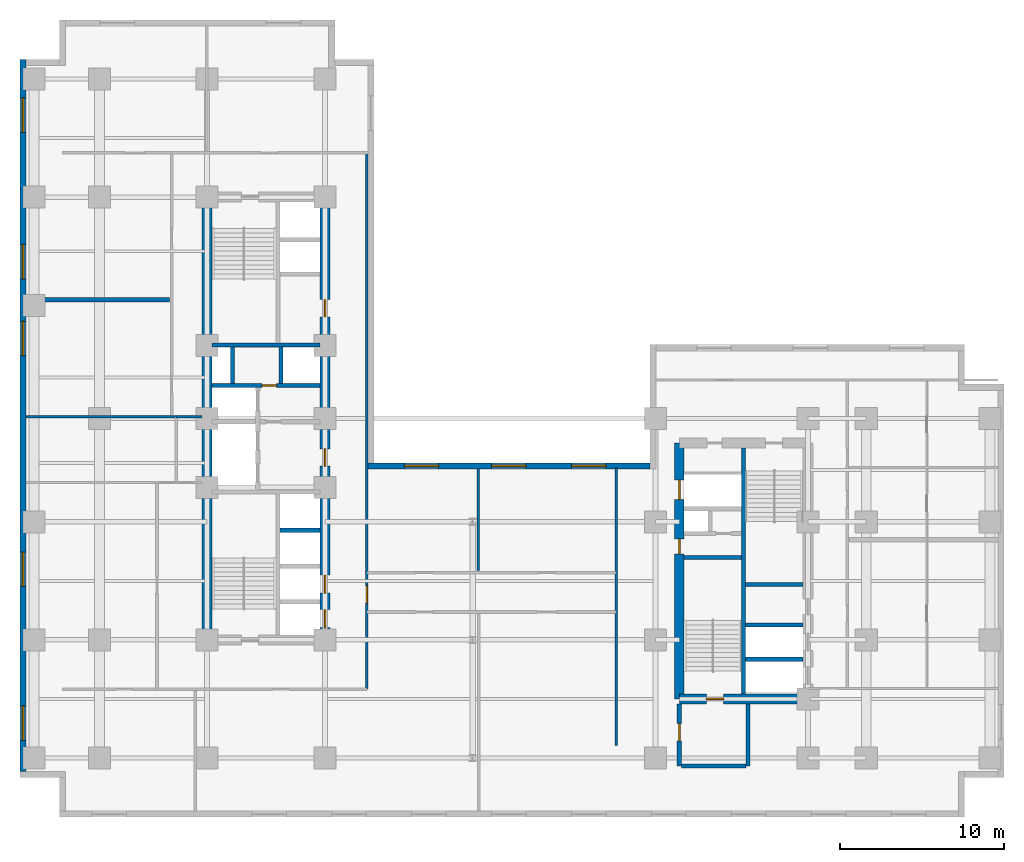
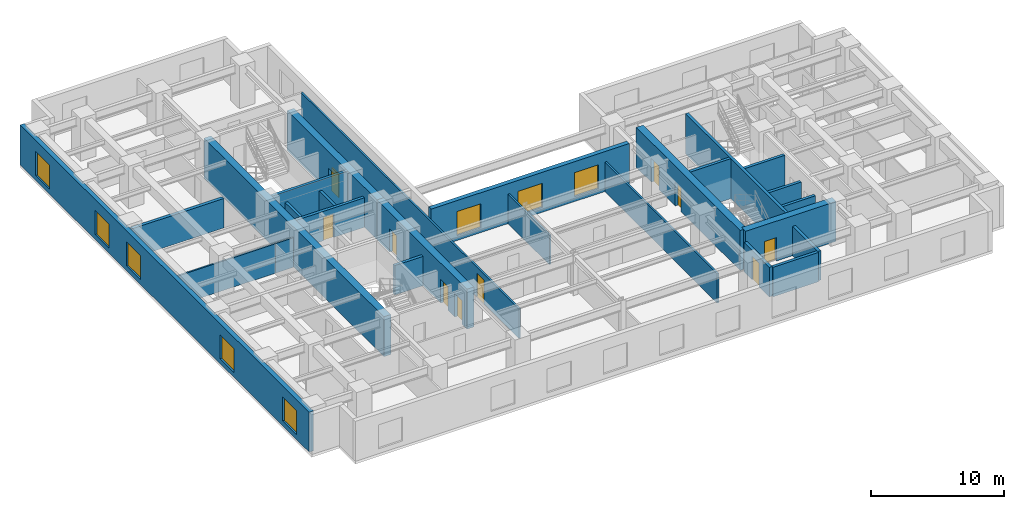
# One storey, part 4 of 9: 26 walls, 10 doors, 8 windows, 18 openings.
"""IFC4 building model written with IfcOpenShell, lengths in metres."""

from ifc_helpers import new_model, entity, si_unit, converted_unit, direction, frame, origin_with_axes, origin_2d_with_axis, place, context, subcontext, project, spatial, polyline, rectangle, outline, extrude, material, layer, layer_set, type_object, element, fill, save


model = new_model("IFC4")

# Units and contexts
model_context = context("Model", 3, precision=1e-05, world=origin_with_axes(), true_north=direction((0.0, 1.0)))
body_context = subcontext(model_context, "Body", "Model", "MODEL_VIEW")
ifc_project = project(units=[si_unit("LENGTHUNIT", "METRE"), si_unit("AREAUNIT", "SQUARE_METRE"), si_unit("VOLUMEUNIT", "CUBIC_METRE"), converted_unit("PLANEANGLEUNIT", "DEGREE", entity("IfcPlaneAngleMeasure", 0.017453292519943295), si_unit("PLANEANGLEUNIT", "RADIAN"), dimensions=[0, 0, 0, 0, 0, 0, 0]), si_unit("MASSUNIT", "GRAM", prefix="KILO"), si_unit("THERMODYNAMICTEMPERATUREUNIT", "KELVIN")], contexts=[model_context])

# Site, building, storey
site_placement = place(None, origin_with_axes())
site = spatial("IfcSite", under=ifc_project, at=site_placement, CompositionType="ELEMENT")
building_placement = place(site_placement, origin_with_axes())
building = spatial("IfcBuilding", under=site, at=building_placement, Name="Varnlund Millrace Tower", CompositionType="ELEMENT")
storey_placement = place(building_placement, frame((0.0, 0.0, 36.6), z_axis=(0.0, 0.0, 1.0), x_axis=(1.0, 0.0, 0.0)))
storey = spatial("IfcBuildingStorey", under=building, at=storey_placement, Name="L08", CompositionType="ELEMENT", Elevation=36.6)

# Wall
ifc_material_1 = material(Name="Concrete C80/95", Category="concrete")
ifc_layer_1 = layer(ifc_material_1, 0.6, Name="Concrete C80/95")
ifc_layer_set_1 = layer_set([ifc_layer_1], Name="Concrete C80/95")
wall_type_1 = type_object("IfcWallType", Name="Type-CoreWall-Shear-600-C80", PredefinedType="SHEAR", material=ifc_layer_set_1)
wall_1_placement = place(storey_placement, frame((11.4, 10.8, 0.0), z_axis=(0.0, 0.0, 1.0), x_axis=(0.0, 1.0, 0.0)))
element("IfcWall", 1, at=wall_1_placement, inside=storey, type_object=wall_type_1, Name="Type-CoreWall-Shear-600-C80", PredefinedType="SHEAR", context=body_context, shape_type="SweptSolid", body=[
    extrude(outline(polyline([(0.0, -0.3), (27.0, -0.3), (27.0, 0.3), (0.0, 0.3), (0.0, -0.3)])), origin_with_axes(), (0.0, 0.0, 1.0), 3.66),
])

# Wall, openings, doors
wall_2_placement = place(storey_placement, frame((18.6, 10.8, 0.0), z_axis=(0.0, 0.0, 1.0), x_axis=(0.0, 1.0, 0.0)))
wall_2 = element("IfcWall", 2, at=wall_2_placement, inside=storey, type_object=wall_type_1, Name="Type-CoreWall-Shear-600-C80", PredefinedType="SHEAR", context=body_context, shape_type="SweptSolid", body=[
    extrude(outline(polyline([(0.0, -0.3), (13.5, -0.3), (13.5, 0.3), (0.0, 0.3), (0.0, -0.3)])), origin_with_axes(), (0.0, 0.0, 1.0), 3.66),
])
opening_1_placement = place(wall_2_placement, frame((1.3, 0.0, 0.0), z_axis=(0.0, 0.0, 1.0), x_axis=(1.0, 0.0, 0.0)))
opening_1 = element("IfcOpeningElement", 3, at=opening_1_placement, cuts=wall_2, Name="Opening L08:LD-ELV-L1", PredefinedType="OPENING", context=body_context, shape_type="SweptSolid", body=[
    extrude(rectangle(XDim=1.1, YDim=0.62, at=origin_2d_with_axis()), origin_with_axes(), (0.0, 0.0, 1.0), 2.15),
])
opening_2_placement = place(wall_2_placement, frame((3.4, 0.0, 0.0), z_axis=(0.0, 0.0, 1.0), x_axis=(1.0, 0.0, 0.0)))
opening_2 = element("IfcOpeningElement", 4, at=opening_2_placement, cuts=wall_2, Name="Opening L08:LD-ELV-L2", PredefinedType="OPENING", context=body_context, shape_type="SweptSolid", body=[
    extrude(rectangle(XDim=1.1, YDim=0.62, at=origin_2d_with_axis()), origin_with_axes(), (0.0, 0.0, 1.0), 2.15),
])
opening_3_placement = place(wall_2_placement, frame((11.125, 0.0, 0.0), z_axis=(0.0, 0.0, 1.0), x_axis=(1.0, 0.0, 0.0)))
opening_3 = element("IfcOpeningElement", 5, at=opening_3_placement, cuts=wall_2, Name="Opening L08:DR-FFLOB-A", PredefinedType="OPENING", context=body_context, shape_type="SweptSolid", body=[
    extrude(rectangle(XDim=1.05, YDim=0.62, at=origin_2d_with_axis()), origin_with_axes(), (0.0, 0.0, 1.0), 2.15),
])
ifc_material_2 = material(Name="Smoke-barrier hollow steel fire door", Category="steel")
door_type_1 = type_object("IfcDoorType", Name="Type-FireDoor-Lobby-1050X2150", OperationType="NOTDEFINED", PredefinedType="DOOR", material=ifc_material_2)
door_1_placement = place(wall_2_placement, frame((11.125, 0.0, 0.0), z_axis=(0.0, 0.0, 1.0), x_axis=(1.0, 0.0, 0.0)))
door_1 = element("IfcDoor", 6, at=door_1_placement, inside=storey, type_object=door_type_1, Name="Type-FireDoor-Lobby-1050X2150", OperationType="SINGLE_SWING_LEFT", OverallHeight=2.15, OverallWidth=1.05, PredefinedType="DOOR", context=body_context, shape_type="SweptSolid", body=[
    extrude(rectangle(XDim=1.05, YDim=0.09, at=origin_2d_with_axis()), origin_with_axes(), (0.0, 0.0, 1.0), 2.15),
])
fill(opening_3, door_1)
ifc_material_3 = material(Name="Stainless and architectural bronze sliding landing door")
door_type_2 = type_object("IfcDoorType", Name="Type-LiftLandingDoor-1100X2150", OperationType="NOTDEFINED", PredefinedType="DOOR", material=ifc_material_3)
door_2_placement = place(wall_2_placement, frame((1.3, 0.0, 0.0), z_axis=(0.0, 0.0, 1.0), x_axis=(1.0, 0.0, 0.0)))
door_2 = element("IfcDoor", 7, at=door_2_placement, inside=storey, type_object=door_type_2, Name="Type-LiftLandingDoor-1100X2150", OperationType="SLIDING_TO_LEFT", OverallHeight=2.15, OverallWidth=1.1, PredefinedType="DOOR", context=body_context, shape_type="SweptSolid", body=[
    extrude(rectangle(XDim=1.1, YDim=0.09, at=origin_2d_with_axis()), origin_with_axes(), (0.0, 0.0, 1.0), 2.15),
])
fill(opening_1, door_2)
door_3_placement = place(wall_2_placement, frame((3.4, 0.0, 0.0), z_axis=(0.0, 0.0, 1.0), x_axis=(1.0, 0.0, 0.0)))
door_3 = element("IfcDoor", 8, at=door_3_placement, inside=storey, type_object=door_type_2, Name="Type-LiftLandingDoor-1100X2150", OperationType="SLIDING_TO_RIGHT", OverallHeight=2.15, OverallWidth=1.1, PredefinedType="DOOR", context=body_context, shape_type="SweptSolid", body=[
    extrude(rectangle(XDim=1.1, YDim=0.09, at=origin_2d_with_axis()), origin_with_axes(), (0.0, 0.0, 1.0), 2.15),
])
fill(opening_2, door_3)

# Wall, opening, door
wall_3_placement = place(storey_placement, frame((18.6, 24.3, 0.0), z_axis=(0.0, 0.0, 1.0), x_axis=(0.0, 1.0, 0.0)))
wall_3 = element("IfcWall", 9, at=wall_3_placement, inside=storey, type_object=wall_type_1, Name="Type-CoreWall-Shear-600-C80", PredefinedType="SHEAR", context=body_context, shape_type="SweptSolid", body=[
    extrude(outline(polyline([(0.0, -0.3), (13.5, -0.3), (13.5, 0.3), (0.0, 0.3), (0.0, -0.3)])), origin_with_axes(), (0.0, 0.0, 1.0), 3.66),
])
opening_4_placement = place(wall_3_placement, frame((6.725, 0.0, 0.0), z_axis=(0.0, 0.0, 1.0), x_axis=(1.0, 0.0, 0.0)))
opening_4 = element("IfcOpeningElement", 10, at=opening_4_placement, cuts=wall_3, Name="Opening L08:DR-CA-WC1", PredefinedType="OPENING", context=body_context, shape_type="SweptSolid", body=[
    extrude(rectangle(XDim=1.05, YDim=0.62, at=origin_2d_with_axis()), origin_with_axes(), (0.0, 0.0, 1.0), 2.15),
])
door_4_placement = place(wall_3_placement, frame((6.725, 0.0, 0.0), z_axis=(0.0, 0.0, 1.0), x_axis=(1.0, 0.0, 0.0)))
door_4 = element("IfcDoor", 11, at=door_4_placement, inside=storey, type_object=door_type_1, Name="Type-FireDoor-Lobby-1050X2150", OperationType="SINGLE_SWING_LEFT", OverallHeight=2.15, OverallWidth=1.05, PredefinedType="DOOR", context=body_context, shape_type="SweptSolid", body=[
    extrude(rectangle(XDim=1.05, YDim=0.09, at=origin_2d_with_axis()), origin_with_axes(), (0.0, 0.0, 1.0), 2.15),
])
fill(opening_4, door_4)

# Wall, openings, doors
wall_4_placement = place(storey_placement, frame((40.2, 7.2, 0.0), z_axis=(0.0, 0.0, 1.0), x_axis=(0.0, 1.0, 0.0)))
wall_4 = element("IfcWall", 12, at=wall_4_placement, inside=storey, type_object=wall_type_1, Name="Type-CoreWall-Shear-600-C80", PredefinedType="SHEAR", context=body_context, shape_type="SweptSolid", body=[
    extrude(outline(polyline([(0.0, -0.3), (15.6, -0.3), (15.6, 0.3), (0.0, 0.3), (0.0, -0.3)])), origin_with_axes(), (0.0, 0.0, 1.0), 3.66),
])
opening_5_placement = place(wall_4_placement, frame((12.75, 0.0, 0.0), z_axis=(0.0, 0.0, 1.0), x_axis=(1.0, 0.0, 0.0)))
opening_5 = element("IfcOpeningElement", 13, at=opening_5_placement, cuts=wall_4, Name="Opening L08:LD-SRV2", PredefinedType="OPENING", context=body_context, shape_type="SweptSolid", body=[
    extrude(rectangle(XDim=1.2, YDim=0.62, at=origin_2d_with_axis()), origin_with_axes(), (0.0, 0.0, 1.0), 2.15),
])
opening_6_placement = place(wall_4_placement, frame((9.3, 0.0, 0.0), z_axis=(0.0, 0.0, 1.0), x_axis=(1.0, 0.0, 0.0)))
opening_6 = element("IfcOpeningElement", 14, at=opening_6_placement, cuts=wall_4, Name="Opening L08:DR-CB-JAN", PredefinedType="OPENING", context=body_context, shape_type="SweptSolid", body=[
    extrude(rectangle(XDim=0.9, YDim=0.62, at=origin_2d_with_axis()), origin_with_axes(), (0.0, 0.0, 1.0), 2.15),
])
ifc_material_4 = material(Name="Fire-rated hollow steel service closet door", Category="steel")
door_type_3 = type_object("IfcDoorType", Name="Type-FireDoor-Closet-900X2150", OperationType="NOTDEFINED", PredefinedType="DOOR", material=ifc_material_4)
door_5_placement = place(wall_4_placement, frame((9.3, 0.0, 0.0), z_axis=(0.0, 0.0, 1.0), x_axis=(1.0, 0.0, 0.0)))
door_5 = element("IfcDoor", 15, at=door_5_placement, inside=storey, type_object=door_type_3, Name="Type-FireDoor-Closet-900X2150", OperationType="SINGLE_SWING_RIGHT", OverallHeight=2.15, OverallWidth=0.9, PredefinedType="DOOR", context=body_context, shape_type="SweptSolid", body=[
    extrude(rectangle(XDim=0.9, YDim=0.09, at=origin_2d_with_axis()), origin_with_axes(), (0.0, 0.0, 1.0), 2.15),
])
fill(opening_6, door_5)
ifc_material_5 = material(Name="Heavy-duty freight sliding landing door")
door_type_4 = type_object("IfcDoorType", Name="Type-LiftLandingDoor-Service-1200X2150", OperationType="NOTDEFINED", PredefinedType="DOOR", material=ifc_material_5)
door_6_placement = place(wall_4_placement, frame((12.75, 0.0, 0.0), z_axis=(0.0, 0.0, 1.0), x_axis=(1.0, 0.0, 0.0)))
door_6 = element("IfcDoor", 16, at=door_6_placement, inside=storey, type_object=door_type_4, Name="Type-LiftLandingDoor-Service-1200X2150", OperationType="DOUBLE_DOOR_SLIDING", OverallHeight=2.15, OverallWidth=1.2, PredefinedType="DOOR", context=body_context, shape_type="SweptSolid", body=[
    extrude(rectangle(XDim=1.2, YDim=0.09, at=origin_2d_with_axis()), origin_with_axes(), (0.0, 0.0, 1.0), 2.15),
])
fill(opening_5, door_6)

# Wall, opening, door
wall_5_placement = place(storey_placement, frame((40.2, 7.2, 0.0), z_axis=(0.0, 0.0, 1.0), x_axis=(1.0, 0.0, 0.0)))
wall_5 = element("IfcWall", 17, at=wall_5_placement, inside=storey, type_object=wall_type_1, Name="Type-CoreWall-Shear-600-C80", PredefinedType="SHEAR", context=body_context, shape_type="SweptSolid", body=[
    extrude(outline(polyline([(0.0, -0.3), (7.85, -0.3), (7.85, 0.3), (0.0, 0.3), (0.0, -0.3)])), origin_with_axes(), (0.0, 0.0, 1.0), 3.66),
])
opening_7_placement = place(wall_5_placement, frame((2.175, 0.0, 0.0), z_axis=(0.0, 0.0, 1.0), x_axis=(1.0, 0.0, 0.0)))
opening_7 = element("IfcOpeningElement", 18, at=opening_7_placement, cuts=wall_5, Name="Opening L08:DR-STB1", PredefinedType="OPENING", context=body_context, shape_type="SweptSolid", body=[
    extrude(rectangle(XDim=1.05, YDim=0.62, at=origin_2d_with_axis()), origin_with_axes(), (0.0, 0.0, 1.0), 2.15),
])
ifc_material_6 = material(Name="Fire-rated hollow steel door", Category="steel")
door_type_5 = type_object("IfcDoorType", Name="Type-FireDoor-Stair-1050X2150", OperationType="NOTDEFINED", PredefinedType="DOOR", material=ifc_material_6)
door_7_placement = place(wall_5_placement, frame((2.175, 0.0, 0.0), z_axis=(0.0, 0.0, 1.0), x_axis=(1.0, 0.0, 0.0)))
door_7 = element("IfcDoor", 19, at=door_7_placement, inside=storey, type_object=door_type_5, Name="Type-FireDoor-Stair-1050X2150", OperationType="SINGLE_SWING_LEFT", OverallHeight=2.15, OverallWidth=1.05, PredefinedType="DOOR", context=body_context, shape_type="SweptSolid", body=[
    extrude(rectangle(XDim=1.05, YDim=0.09, at=origin_2d_with_axis()), origin_with_axes(), (0.0, 0.0, 1.0), 2.15),
])
fill(opening_7, door_7)

# Wall, openings, windows
ifc_material_7 = material(Name="Precast concrete C50/60", Category="concrete")
ifc_layer_2 = layer(ifc_material_7, 0.38, Name="Precast concrete C50/60")
ifc_layer_set_2 = layer_set([ifc_layer_2], Name="Precast concrete C50/60")
wall_type_2 = type_object("IfcWallType", Name="Type-ExtWall-Precast-Tube-380", PredefinedType="SOLIDWALL", material=ifc_layer_set_2)
wall_6_placement = place(storey_placement, frame((0.19, 2.78, 0.0), z_axis=(0.0, 0.0, 1.0), x_axis=(0.0, 1.0, 0.0)))
wall_6 = element("IfcWall", 20, at=wall_6_placement, inside=storey, type_object=wall_type_2, Name="Type-ExtWall-Precast-Tube-380", PredefinedType="SOLIDWALL", context=body_context, shape_type="SweptSolid", body=[
    extrude(outline(polyline([(0.0, -0.19), (43.42, -0.19), (43.42, 0.19), (0.0, 0.19), (0.0, -0.19)])), origin_with_axes(), (0.0, 0.0, 1.0), 3.66),
])
opening_8_placement = place(wall_6_placement, frame((2.946, 0.0, 0.45), z_axis=(0.0, 0.0, 1.0), x_axis=(1.0, 0.0, 0.0)))
opening_8 = element("IfcOpeningElement", 21, at=opening_8_placement, cuts=wall_6, Name="Opening L08:WN-15", PredefinedType="OPENING", context=body_context, shape_type="SweptSolid", body=[
    extrude(rectangle(XDim=2.1, YDim=0.4, at=origin_2d_with_axis()), origin_with_axes(), (0.0, 0.0, 1.0), 2.2),
])
opening_9_placement = place(wall_6_placement, frame((12.328, 0.0, 0.45), z_axis=(0.0, 0.0, 1.0), x_axis=(1.0, 0.0, 0.0)))
opening_9 = element("IfcOpeningElement", 22, at=opening_9_placement, cuts=wall_6, Name="Opening L08:WN-16", PredefinedType="OPENING", context=body_context, shape_type="SweptSolid", body=[
    extrude(rectangle(XDim=2.1, YDim=0.4, at=origin_2d_with_axis()), origin_with_axes(), (0.0, 0.0, 1.0), 2.2),
])
opening_10_placement = place(wall_6_placement, frame((26.401, 0.0, 0.45), z_axis=(0.0, 0.0, 1.0), x_axis=(1.0, 0.0, 0.0)))
opening_10 = element("IfcOpeningElement", 23, at=opening_10_placement, cuts=wall_6, Name="Opening L08:WN-17", PredefinedType="OPENING", context=body_context, shape_type="SweptSolid", body=[
    extrude(rectangle(XDim=2.1, YDim=0.4, at=origin_2d_with_axis()), origin_with_axes(), (0.0, 0.0, 1.0), 2.2),
])
opening_11_placement = place(wall_6_placement, frame((31.092, 0.0, 0.45), z_axis=(0.0, 0.0, 1.0), x_axis=(1.0, 0.0, 0.0)))
opening_11 = element("IfcOpeningElement", 24, at=opening_11_placement, cuts=wall_6, Name="Opening L08:WN-18", PredefinedType="OPENING", context=body_context, shape_type="SweptSolid", body=[
    extrude(rectangle(XDim=2.1, YDim=0.4, at=origin_2d_with_axis()), origin_with_axes(), (0.0, 0.0, 1.0), 2.2),
])
opening_12_placement = place(wall_6_placement, frame((40.024, 0.0, 0.45), z_axis=(0.0, 0.0, 1.0), x_axis=(1.0, 0.0, 0.0)))
opening_12 = element("IfcOpeningElement", 25, at=opening_12_placement, cuts=wall_6, Name="Opening L08:WN-19", PredefinedType="OPENING", context=body_context, shape_type="SweptSolid", body=[
    extrude(rectangle(XDim=2.1, YDim=0.4, at=origin_2d_with_axis()), origin_with_axes(), (0.0, 0.0, 1.0), 2.2),
])
ifc_material_8 = material(Name="Argon low-e triple glazing in thermally broken bronze frame", Category="glass")
window_type = type_object("IfcWindowType", Name="Type-Window-Punched-2100X2200", PartitioningType="SINGLE_PANEL", PredefinedType="WINDOW", material=ifc_material_8)
window_1_placement = place(wall_6_placement, frame((2.946, 0.0, 0.45), z_axis=(0.0, 0.0, 1.0), x_axis=(1.0, 0.0, 0.0)))
window_1 = element("IfcWindow", 26, at=window_1_placement, inside=storey, type_object=window_type, Name="Type-Window-Punched-2100X2200", OverallHeight=2.2, OverallWidth=2.1, PredefinedType="WINDOW", context=body_context, shape_type="SweptSolid", body=[
    extrude(rectangle(XDim=2.1, YDim=0.09, at=origin_2d_with_axis()), origin_with_axes(), (0.0, 0.0, 1.0), 2.2),
])
fill(opening_8, window_1)
window_2_placement = place(wall_6_placement, frame((12.328, 0.0, 0.45), z_axis=(0.0, 0.0, 1.0), x_axis=(1.0, 0.0, 0.0)))
window_2 = element("IfcWindow", 27, at=window_2_placement, inside=storey, type_object=window_type, Name="Type-Window-Punched-2100X2200", OverallHeight=2.2, OverallWidth=2.1, PredefinedType="WINDOW", context=body_context, shape_type="SweptSolid", body=[
    extrude(rectangle(XDim=2.1, YDim=0.09, at=origin_2d_with_axis()), origin_with_axes(), (0.0, 0.0, 1.0), 2.2),
])
fill(opening_9, window_2)
window_3_placement = place(wall_6_placement, frame((26.401, 0.0, 0.45), z_axis=(0.0, 0.0, 1.0), x_axis=(1.0, 0.0, 0.0)))
window_3 = element("IfcWindow", 28, at=window_3_placement, inside=storey, type_object=window_type, Name="Type-Window-Punched-2100X2200", OverallHeight=2.2, OverallWidth=2.1, PredefinedType="WINDOW", context=body_context, shape_type="SweptSolid", body=[
    extrude(rectangle(XDim=2.1, YDim=0.09, at=origin_2d_with_axis()), origin_with_axes(), (0.0, 0.0, 1.0), 2.2),
])
fill(opening_10, window_3)
window_4_placement = place(wall_6_placement, frame((31.092, 0.0, 0.45), z_axis=(0.0, 0.0, 1.0), x_axis=(1.0, 0.0, 0.0)))
window_4 = element("IfcWindow", 29, at=window_4_placement, inside=storey, type_object=window_type, Name="Type-Window-Punched-2100X2200", OverallHeight=2.2, OverallWidth=2.1, PredefinedType="WINDOW", context=body_context, shape_type="SweptSolid", body=[
    extrude(rectangle(XDim=2.1, YDim=0.09, at=origin_2d_with_axis()), origin_with_axes(), (0.0, 0.0, 1.0), 2.2),
])
fill(opening_11, window_4)
window_5_placement = place(wall_6_placement, frame((40.024, 0.0, 0.45), z_axis=(0.0, 0.0, 1.0), x_axis=(1.0, 0.0, 0.0)))
window_5 = element("IfcWindow", 30, at=window_5_placement, inside=storey, type_object=window_type, Name="Type-Window-Punched-2100X2200", OverallHeight=2.2, OverallWidth=2.1, PredefinedType="WINDOW", context=body_context, shape_type="SweptSolid", body=[
    extrude(rectangle(XDim=2.1, YDim=0.09, at=origin_2d_with_axis()), origin_with_axes(), (0.0, 0.0, 1.0), 2.2),
])
fill(opening_12, window_5)

wall_7_placement = place(storey_placement, frame((21.22, 21.41, 0.0), z_axis=(0.0, 0.0, 1.0), x_axis=(1.0, 0.0, 0.0)))
wall_7 = element("IfcWall", 31, at=wall_7_placement, inside=storey, type_object=wall_type_2, Name="Type-ExtWall-Precast-Tube-380", PredefinedType="SOLIDWALL", context=body_context, shape_type="SweptSolid", body=[
    extrude(outline(polyline([(0.0, -0.19), (17.18, -0.19), (17.18, 0.19), (0.0, 0.19), (0.0, -0.19)])), origin_with_axes(), (0.0, 0.0, 1.0), 3.66),
])
opening_13_placement = place(wall_7_placement, frame((3.263, 0.0, 0.45), z_axis=(0.0, 0.0, 1.0), x_axis=(1.0, 0.0, 0.0)))
opening_13 = element("IfcOpeningElement", 32, at=opening_13_placement, cuts=wall_7, Name="Opening L08:WN-23", PredefinedType="OPENING", context=body_context, shape_type="SweptSolid", body=[
    extrude(rectangle(XDim=2.1, YDim=0.4, at=origin_2d_with_axis()), origin_with_axes(), (0.0, 0.0, 1.0), 2.2),
])
opening_14_placement = place(wall_7_placement, frame((8.59, 0.0, 0.45), z_axis=(0.0, 0.0, 1.0), x_axis=(1.0, 0.0, 0.0)))
opening_14 = element("IfcOpeningElement", 33, at=opening_14_placement, cuts=wall_7, Name="Opening L08:WN-24", PredefinedType="OPENING", context=body_context, shape_type="SweptSolid", body=[
    extrude(rectangle(XDim=2.1, YDim=0.4, at=origin_2d_with_axis()), origin_with_axes(), (0.0, 0.0, 1.0), 2.2),
])
opening_15_placement = place(wall_7_placement, frame((13.467, 0.0, 0.45), z_axis=(0.0, 0.0, 1.0), x_axis=(1.0, 0.0, 0.0)))
opening_15 = element("IfcOpeningElement", 34, at=opening_15_placement, cuts=wall_7, Name="Opening L08:WN-25", PredefinedType="OPENING", context=body_context, shape_type="SweptSolid", body=[
    extrude(rectangle(XDim=2.1, YDim=0.4, at=origin_2d_with_axis()), origin_with_axes(), (0.0, 0.0, 1.0), 2.2),
])
window_6_placement = place(wall_7_placement, frame((3.263, 0.0, 0.45), z_axis=(0.0, 0.0, 1.0), x_axis=(1.0, 0.0, 0.0)))
window_6 = element("IfcWindow", 35, at=window_6_placement, inside=storey, type_object=window_type, Name="Type-Window-Punched-2100X2200", OverallHeight=2.2, OverallWidth=2.1, PredefinedType="WINDOW", context=body_context, shape_type="SweptSolid", body=[
    extrude(rectangle(XDim=2.1, YDim=0.09, at=origin_2d_with_axis()), origin_with_axes(), (0.0, 0.0, 1.0), 2.2),
])
fill(opening_13, window_6)
window_7_placement = place(wall_7_placement, frame((8.59, 0.0, 0.45), z_axis=(0.0, 0.0, 1.0), x_axis=(1.0, 0.0, 0.0)))
window_7 = element("IfcWindow", 36, at=window_7_placement, inside=storey, type_object=window_type, Name="Type-Window-Punched-2100X2200", OverallHeight=2.2, OverallWidth=2.1, PredefinedType="WINDOW", context=body_context, shape_type="SweptSolid", body=[
    extrude(rectangle(XDim=2.1, YDim=0.09, at=origin_2d_with_axis()), origin_with_axes(), (0.0, 0.0, 1.0), 2.2),
])
fill(opening_14, window_7)
window_8_placement = place(wall_7_placement, frame((13.467, 0.0, 0.45), z_axis=(0.0, 0.0, 1.0), x_axis=(1.0, 0.0, 0.0)))
window_8 = element("IfcWindow", 37, at=window_8_placement, inside=storey, type_object=window_type, Name="Type-Window-Punched-2100X2200", OverallHeight=2.2, OverallWidth=2.1, PredefinedType="WINDOW", context=body_context, shape_type="SweptSolid", body=[
    extrude(rectangle(XDim=2.1, YDim=0.09, at=origin_2d_with_axis()), origin_with_axes(), (0.0, 0.0, 1.0), 2.2),
])
fill(opening_15, window_8)

# Wall
ifc_material_9 = material(Name="Double-stud STC-60 conference acoustic partition", Category="gypsum")
ifc_layer_3 = layer(ifc_material_9, 0.28, Name="Double-stud STC-60 conference acoustic partition")
ifc_layer_set_3 = layer_set([ifc_layer_3], Name="Double-stud STC-60 conference acoustic partition")
wall_type_3 = type_object("IfcWallType", Name="Type-Partition-Acoustic-280", PredefinedType="PARTITIONING", material=ifc_layer_set_3)
wall_8_placement = place(storey_placement, frame((0.375, 31.535, 0.0), z_axis=(0.0, 0.0, 1.0), x_axis=(1.0, 0.0, 0.0)))
element("IfcWall", 38, at=wall_8_placement, inside=storey, type_object=wall_type_3, Name="Type-Partition-Acoustic-280", PredefinedType="PARTITIONING", context=body_context, shape_type="SweptSolid", body=[
    extrude(outline(polyline([(0.0, -0.14), (8.755, -0.14), (8.755, 0.14), (0.0, 0.14), (0.0, -0.14)])), origin_with_axes(), (0.0, 0.0, 1.0), 2.7),
])

# Wall, opening, door
ifc_material_10 = material(Name="Fire-rated gypsum board on cold-formed steel framing", Category="steel")
ifc_layer_4 = layer(ifc_material_10, 0.16, Name="Fire-rated gypsum board on cold-formed steel framing")
ifc_layer_set_4 = layer_set([ifc_layer_4], Name="Fire-rated gypsum board on cold-formed steel framing")
wall_type_4 = type_object("IfcWallType", Name="Type-Partition-Corridor-160", PredefinedType="PARTITIONING", material=ifc_layer_set_4)
wall_9_placement = place(storey_placement, frame((21.15, 7.8, 0.0), z_axis=(0.0, 0.0, 1.0), x_axis=(0.0, 1.0, 0.0)))
wall_9 = element("IfcWall", 39, at=wall_9_placement, inside=storey, type_object=wall_type_4, Name="Type-Partition-Corridor-160", PredefinedType="PARTITIONING", context=body_context, shape_type="SweptSolid", body=[
    extrude(outline(polyline([(0.0, -0.08), (32.7, -0.08), (32.7, 0.08), (0.0, 0.08), (0.0, -0.08)])), origin_with_axes(), (0.0, 0.0, 1.0), 2.7),
])
opening_16_placement = place(wall_9_placement, frame((5.775, 0.0, 0.0), z_axis=(0.0, 0.0, 1.0), x_axis=(1.0, 0.0, 0.0)))
opening_16 = element("IfcOpeningElement", 40, at=opening_16_placement, cuts=wall_9, Name="Opening L08:DR-KN-W", PredefinedType="OPENING", context=body_context, shape_type="SweptSolid", body=[
    extrude(rectangle(XDim=1.05, YDim=0.18, at=origin_2d_with_axis()), origin_with_axes(), (0.0, 0.0, 1.0), 2.15),
])
door_8_placement = place(wall_9_placement, frame((5.775, 0.0, 0.0), z_axis=(0.0, 0.0, 1.0), x_axis=(1.0, 0.0, 0.0)))
door_8 = element("IfcDoor", 41, at=door_8_placement, inside=storey, type_object=door_type_1, Name="Type-FireDoor-Lobby-1050X2150", OperationType="SINGLE_SWING_LEFT", OverallHeight=2.15, OverallWidth=1.05, PredefinedType="DOOR", context=body_context, shape_type="SweptSolid", body=[
    extrude(rectangle(XDim=1.05, YDim=0.09, at=origin_2d_with_axis()), origin_with_axes(), (0.0, 0.0, 1.0), 2.15),
])
fill(opening_16, door_8)

# Walls
wall_10_placement = place(storey_placement, frame((36.35, 4.35, 0.0), z_axis=(0.0, 0.0, 1.0), x_axis=(0.0, 1.0, 0.0)))
element("IfcWall", 42, at=wall_10_placement, inside=storey, type_object=wall_type_4, Name="Type-Partition-Corridor-160", PredefinedType="PARTITIONING", context=body_context, shape_type="SweptSolid", body=[
    extrude(outline(polyline([(0.0, -0.08), (16.95, -0.08), (16.95, 0.08), (0.0, 0.08), (0.0, -0.08)])), origin_with_axes(), (0.0, 0.0, 1.0), 2.7),
])
ifc_material_11 = material(Name="Acoustic STC-50 gypsum board partition", Category="gypsum")
ifc_layer_5 = layer(ifc_material_11, 0.15, Name="Acoustic STC-50 gypsum board partition")
ifc_layer_set_5 = layer_set([ifc_layer_5], Name="Acoustic STC-50 gypsum board partition")
wall_type_5 = type_object("IfcWallType", Name="Type-Partition-Demising-150", PredefinedType="PARTITIONING", material=ifc_layer_set_5)
wall_11_placement = place(storey_placement, frame((27.949, 15.02, 0.0), z_axis=(0.0, 0.0, 1.0), x_axis=(0.0, 1.0, 0.0)))
element("IfcWall", 43, at=wall_11_placement, inside=storey, type_object=wall_type_5, Name="Type-Partition-Demising-150", PredefinedType="PARTITIONING", context=body_context, shape_type="SweptSolid", body=[
    extrude(outline(polyline([(0.0, -0.075), (6.205, -0.075), (6.205, 0.075), (0.0, 0.075), (0.0, -0.075)])), origin_with_axes(), (0.0, 0.0, 1.0), 2.7),
])
ifc_material_12 = material(Name="Moisture-resistant gypsum restroom partition", Category="gypsum")
ifc_layer_6 = layer(ifc_material_12, 0.14, Name="Moisture-resistant gypsum restroom partition")
ifc_layer_set_6 = layer_set([ifc_layer_6], Name="Moisture-resistant gypsum restroom partition")
wall_type_6 = type_object("IfcWallType", Name="Type-Partition-Wet-140", PredefinedType="PARTITIONING", material=ifc_layer_set_6)
wall_12_placement = place(storey_placement, frame((9.52, 24.4, 0.0), z_axis=(0.0, 0.0, 1.0), x_axis=(1.0, 0.0, 0.0)))
element("IfcWall", 44, at=wall_12_placement, inside=storey, type_object=wall_type_6, Name="Type-Partition-Wet-140", PredefinedType="PARTITIONING", context=body_context, shape_type="SweptSolid", body=[
    extrude(outline(polyline([(0.0, -0.07), (1.58, -0.07), (1.58, 0.07), (0.0, 0.07), (0.0, -0.07)])), origin_with_axes(), (0.0, 0.0, 1.0), 2.7),
])
wall_13_placement = place(storey_placement, frame((0.36, 24.4, 0.0), z_axis=(0.0, 0.0, 1.0), x_axis=(1.0, 0.0, 0.0)))
element("IfcWall", 45, at=wall_13_placement, inside=storey, type_object=wall_type_6, Name="Type-Partition-Wet-140", PredefinedType="PARTITIONING", context=body_context, shape_type="SweptSolid", body=[
    extrude(outline(polyline([(0.0, -0.07), (9.16, -0.07), (9.16, 0.07), (0.0, 0.07), (0.0, -0.07)])), origin_with_axes(), (0.0, 0.0, 1.0), 2.7),
])

# Wall, opening, door
ifc_material_13 = material(Name="Concrete C60/75", Category="concrete")
ifc_layer_7 = layer(ifc_material_13, 0.25, Name="Concrete C60/75")
ifc_layer_set_7 = layer_set([ifc_layer_7], Name="Concrete C60/75")
wall_type_7 = type_object("IfcWallType", Name="Type-ShaftWall-Fire-250", PredefinedType="SOLIDWALL", material=ifc_layer_set_7)
wall_14_placement = place(storey_placement, frame((11.7, 26.325, 0.0), z_axis=(0.0, 0.0, 1.0), x_axis=(1.0, 0.0, 0.0)))
wall_14 = element("IfcWall", 46, at=wall_14_placement, inside=storey, type_object=wall_type_7, Name="Type-ShaftWall-Fire-250", PredefinedType="SOLIDWALL", context=body_context, shape_type="SweptSolid", body=[
    extrude(outline(polyline([(0.0, -0.125), (6.6, -0.125), (6.6, 0.125), (0.0, 0.125), (0.0, -0.125)])), origin_with_axes(), (0.0, 0.0, 1.0), 2.7),
])
opening_17_placement = place(wall_14_placement, frame((3.5, 0.0, 0.0), z_axis=(0.0, 0.0, 1.0), x_axis=(1.0, 0.0, 0.0)))
opening_17 = element("IfcOpeningElement", 47, at=opening_17_placement, cuts=wall_14, Name="Opening L08:DR-CA-ELC", PredefinedType="OPENING", context=body_context, shape_type="SweptSolid", body=[
    extrude(rectangle(XDim=0.9, YDim=0.27, at=origin_2d_with_axis()), origin_with_axes(), (0.0, 0.0, 1.0), 2.15),
])
door_9_placement = place(wall_14_placement, frame((3.5, 0.0, 0.0), z_axis=(0.0, 0.0, 1.0), x_axis=(1.0, 0.0, 0.0)))
door_9 = element("IfcDoor", 48, at=door_9_placement, inside=storey, type_object=door_type_3, Name="Type-FireDoor-Closet-900X2150", OperationType="SINGLE_SWING_LEFT", OverallHeight=2.15, OverallWidth=0.9, PredefinedType="DOOR", context=body_context, shape_type="SweptSolid", body=[
    extrude(rectangle(XDim=0.9, YDim=0.09, at=origin_2d_with_axis()), origin_with_axes(), (0.0, 0.0, 1.0), 2.15),
])
fill(opening_17, door_9)

# Walls
for number, where, z_axis, x_axis, name in (
    (49, (12.96, 26.45, 0.0), (0.0, 0.0, 1.0), (0.0, 1.0, 0.0), "Type-ShaftWall-Fire-250"),
    (50, (15.925, 26.45, 0.0), (0.0, 0.0, 1.0), (0.0, 1.0, 0.0), "Type-ShaftWall-Fire-250"),
):
    element("IfcWall", number, at=place(storey_placement, frame(where, z_axis=z_axis, x_axis=x_axis)), inside=storey, type_object=wall_type_7, Name=name, PredefinedType="SOLIDWALL", context=body_context, shape_type="SweptSolid", body=[
        extrude(outline(polyline([(0.0, -0.125), (2.2, -0.125), (2.2, 0.125), (0.0, 0.125), (0.0, -0.125)])), origin_with_axes(), (0.0, 0.0, 1.0), 2.7),
    ])

# Wall, opening, door
wall_15_placement = place(storey_placement, frame((40.2, 3.1, 0.0), z_axis=(0.0, 0.0, 1.0), x_axis=(0.0, 1.0, 0.0)))
wall_15 = element("IfcWall", 51, at=wall_15_placement, inside=storey, type_object=wall_type_7, Name="Type-ShaftWall-Fire-250", PredefinedType="SOLIDWALL", context=body_context, shape_type="SweptSolid", body=[
    extrude(outline(polyline([(0.0, -0.125), (3.8, -0.125), (3.8, 0.125), (0.0, 0.125), (0.0, -0.125)])), origin_with_axes(), (0.0, 0.0, 1.0), 2.7),
])
opening_18_placement = place(wall_15_placement, frame((2.075, 0.0, 0.0), z_axis=(0.0, 0.0, 1.0), x_axis=(1.0, 0.0, 0.0)))
opening_18 = element("IfcOpeningElement", 52, at=opening_18_placement, cuts=wall_15, Name="Opening L08:DR-FFLOB-B", PredefinedType="OPENING", context=body_context, shape_type="SweptSolid", body=[
    extrude(rectangle(XDim=1.05, YDim=0.27, at=origin_2d_with_axis()), origin_with_axes(), (0.0, 0.0, 1.0), 2.15),
])
door_10_placement = place(wall_15_placement, frame((2.075, 0.0, 0.0), z_axis=(0.0, 0.0, 1.0), x_axis=(1.0, 0.0, 0.0)))
door_10 = element("IfcDoor", 53, at=door_10_placement, inside=storey, type_object=door_type_1, Name="Type-FireDoor-Lobby-1050X2150", OperationType="SINGLE_SWING_LEFT", OverallHeight=2.15, OverallWidth=1.05, PredefinedType="DOOR", context=body_context, shape_type="SweptSolid", body=[
    extrude(rectangle(XDim=1.05, YDim=0.09, at=origin_2d_with_axis()), origin_with_axes(), (0.0, 0.0, 1.0), 2.15),
])
fill(opening_18, door_10)

# Walls
wall_16_placement = place(storey_placement, frame((40.325, 3.1, 0.0), z_axis=(0.0, 0.0, 1.0), x_axis=(1.0, 0.0, 0.0)))
element("IfcWall", 54, at=wall_16_placement, inside=storey, type_object=wall_type_7, Name="Type-ShaftWall-Fire-250", PredefinedType="SOLIDWALL", context=body_context, shape_type="SweptSolid", body=[
    extrude(outline(polyline([(0.0, -0.125), (3.95, -0.125), (3.95, 0.125), (0.0, 0.125), (0.0, -0.125)])), origin_with_axes(), (0.0, 0.0, 1.0), 2.7),
])
wall_17_placement = place(storey_placement, frame((44.4, 3.1, 0.0), z_axis=(0.0, 0.0, 1.0), x_axis=(0.0, 1.0, 0.0)))
element("IfcWall", 55, at=wall_17_placement, inside=storey, type_object=wall_type_7, Name="Type-ShaftWall-Fire-250", PredefinedType="SOLIDWALL", context=body_context, shape_type="SweptSolid", body=[
    extrude(outline(polyline([(0.0, -0.125), (3.8, -0.125), (3.8, 0.125), (0.0, 0.125), (0.0, -0.125)])), origin_with_axes(), (0.0, 0.0, 1.0), 2.7),
])
wall_18_placement = place(storey_placement, frame((15.84, 17.49, 0.0), z_axis=(0.0, 0.0, 1.0), x_axis=(1.0, 0.0, 0.0)))
element("IfcWall", 56, at=wall_18_placement, inside=storey, type_object=wall_type_7, Name="Type-ShaftWall-Fire-250", PredefinedType="SOLIDWALL", context=body_context, shape_type="SweptSolid", body=[
    extrude(outline(polyline([(0.0, -0.125), (2.46, -0.125), (2.46, 0.125), (0.0, 0.125), (0.0, -0.125)])), origin_with_axes(), (0.0, 0.0, 1.0), 2.7),
])
for number, where, z_axis, x_axis, name in (
    (57, (44.25, 9.62, 0.0), (0.0, 0.0, 1.0), (1.0, 0.0, 0.0), "Type-ShaftWall-Fire-250"),
    (58, (44.25, 11.72, 0.0), (0.0, 0.0, 1.0), (1.0, 0.0, 0.0), "Type-ShaftWall-Fire-250"),
):
    element("IfcWall", number, at=place(storey_placement, frame(where, z_axis=z_axis, x_axis=x_axis)), inside=storey, type_object=wall_type_7, Name=name, PredefinedType="SOLIDWALL", context=body_context, shape_type="SweptSolid", body=[
        extrude(outline(polyline([(0.0, -0.125), (3.5, -0.125), (3.5, 0.125), (0.0, 0.125), (0.0, -0.125)])), origin_with_axes(), (0.0, 0.0, 1.0), 2.7),
    ])
wall_type_8 = type_object("IfcWallType", Name="Type-StairWall-Shear-250", PredefinedType="SHEAR", material=ifc_layer_set_7)
wall_19_placement = place(storey_placement, frame((11.7, 28.775, 0.0), z_axis=(0.0, 0.0, 1.0), x_axis=(1.0, 0.0, 0.0)))
element("IfcWall", 59, at=wall_19_placement, inside=storey, type_object=wall_type_8, Name="Type-StairWall-Shear-250", PredefinedType="SHEAR", context=body_context, shape_type="SweptSolid", body=[
    extrude(outline(polyline([(0.0, -0.125), (6.6, -0.125), (6.6, 0.125), (0.0, 0.125), (0.0, -0.125)])), origin_with_axes(), (0.0, 0.0, 1.0), 3.66),
])
wall_20_placement = place(storey_placement, frame((44.125, 7.5, 0.0), z_axis=(0.0, 0.0, 1.0), x_axis=(0.0, 1.0, 0.0)))
element("IfcWall", 60, at=wall_20_placement, inside=storey, type_object=wall_type_8, Name="Type-StairWall-Shear-250", PredefinedType="SHEAR", context=body_context, shape_type="SweptSolid", body=[
    extrude(outline(polyline([(0.0, -0.125), (15.0, -0.125), (15.0, 0.125), (0.0, 0.125), (0.0, -0.125)])), origin_with_axes(), (0.0, 0.0, 1.0), 3.66),
])
for number, where, z_axis, x_axis, name in (
    (61, (40.5, 15.825, 0.0), (0.0, 0.0, 1.0), (1.0, 0.0, 0.0), "Type-StairWall-Shear-250"),
    (62, (44.25, 14.175, 0.0), (0.0, 0.0, 1.0), (1.0, 0.0, 0.0), "Type-StairWall-Shear-250"),
):
    element("IfcWall", number, at=place(storey_placement, frame(where, z_axis=z_axis, x_axis=x_axis)), inside=storey, type_object=wall_type_8, Name=name, PredefinedType="SHEAR", context=body_context, shape_type="SweptSolid", body=[
        extrude(outline(polyline([(0.0, -0.125), (3.5, -0.125), (3.5, 0.125), (0.0, 0.125), (0.0, -0.125)])), origin_with_axes(), (0.0, 0.0, 1.0), 3.66),
    ])

save(model, "model.ifc")
